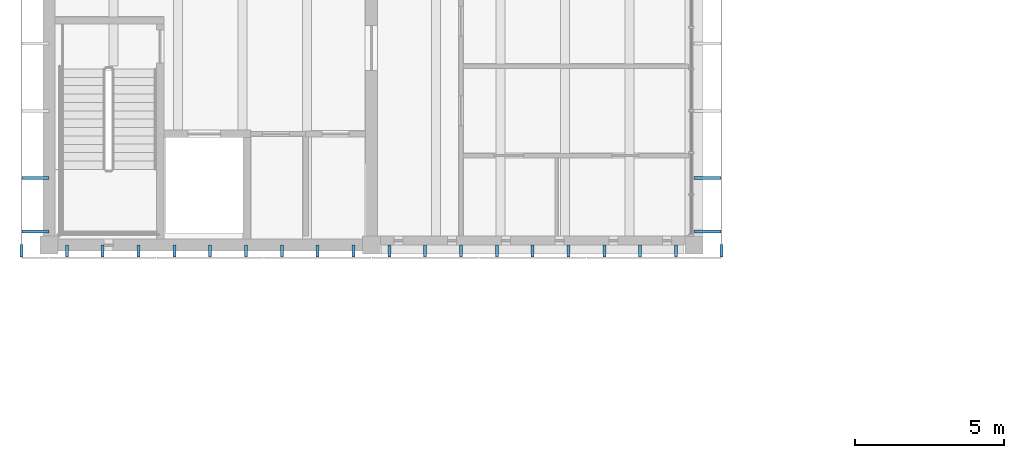
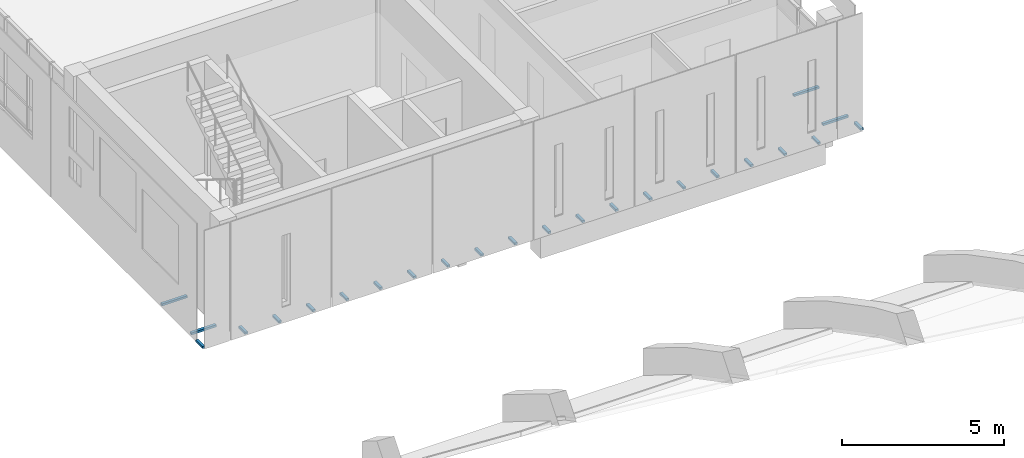
# One storey, part 62 of 88: 24 discrete accessories.
"""IFC4 building model written with IfcOpenShell, lengths in metres."""

from ifc_helpers import new_model, si_unit, direction, frame, origin, place, context, subcontext, project, spatial, polyline, outline, extrude, source, transform, mapped, material, type_object, element, save


model = new_model("IFC4")

# Units and contexts
model_context = context("Model", 3, precision=1e-05, world=origin(), true_north=direction((0.0, 1.0)))
body_context = subcontext(model_context, "Body", "Model", "MODEL_VIEW")
ifc_project = project(units=[si_unit("LENGTHUNIT", "METRE"), si_unit("AREAUNIT", "SQUARE_METRE"), si_unit("VOLUMEUNIT", "CUBIC_METRE"), si_unit("PLANEANGLEUNIT", "RADIAN"), si_unit("MASSUNIT", "GRAM", prefix="KILO")], contexts=[model_context])

# Site, building, storey
site_placement = place(None, origin())
site = spatial("IfcSite", under=ifc_project, at=site_placement, CompositionType="ELEMENT")
building_placement = place(site_placement, origin())
building = spatial("IfcBuilding", under=site, at=building_placement, Name="Merrow Basin Faculty of Sciences", CompositionType="ELEMENT")
storey_placement = place(building_placement, frame((0.0, 0.0, 9.0)))
storey = spatial("IfcBuildingStorey", under=building, at=storey_placement, Name="L02", CompositionType="ELEMENT", Elevation=9.0)

# Discrete accessories
ifc_material_1 = material(Name="Steel ASTM A572 Gr 50", Category="steel")
discrete_accessory_type_1 = type_object("IfcDiscreteAccessoryType", Name="Steel T bracket 100 x 80", PredefinedType="BRACKET", material=ifc_material_1)
shared_shape_1 = source(origin(), body_context, "Body", "SweptSolid", [
    extrude(outline(polyline([(0.0, 0.0), (0.10009765625, 0.0), (0.10009765625, 0.080078125), (0.0, 0.080078125), (0.0, 0.0)])), origin(), (0.0, 0.0, 1.0), 0.89990234375),
])
for number, where, z_axis, x_axis, name in (
    (1, (-0.89990234375, 61.39990234375, -0.2900390625), (1.0, 0.0, 0.0), (0.0, 1.0, 0.0), "Bracket WL02-01"),
    (2, (-0.89990234375, 63.199951171875, -0.2900390625), (1.0, 0.0, 0.0), (0.0, 1.0, 0.0), "Bracket WL02-01"),
    (3, (22.5, 63.300048828125, -0.2900390625), (-1.0, 0.0, 0.0), (0.0, -1.0, 0.0), "Bracket EL02-01"),
    (4, (22.5, 61.5, -0.2900390625), (-1.0, 0.0, 0.0), (0.0, -1.0, 0.0), "Bracket EL02-01"),
):
    element("IfcDiscreteAccessory", number, at=place(storey_placement, frame(where, z_axis=z_axis, x_axis=x_axis)), inside=storey, type_object=discrete_accessory_type_1, Name=name, PredefinedType="BRACKET", context=body_context, shape_type="MappedRepresentation", body=[
        mapped(shared_shape_1, transform((0.0, 0.0, 0.0), scale=1.0)),
    ])
ifc_material_2 = material(Name="Steel ASTM A572 Gr 50", Category="steel")
discrete_accessory_type_2 = type_object("IfcDiscreteAccessoryType", Name="Steel T bracket 100 x 80 corner", PredefinedType="BRACKET", material=ifc_material_2)
shared_shape_2 = source(origin(), body_context, "Body", "SweptSolid", [
    extrude(outline(polyline([(0.0, 0.0), (0.10009765625, 0.0), (0.10009765625, 0.080078125), (0.0, 0.080078125), (0.0, 0.0)])), origin(), (0.0, 0.0, 1.0), 0.419921875),
])
for number, where, z_axis, x_axis, name in (
    (5, (-0.8701171875, 60.60009765625, -0.2900390625), (0.0, 1.0, 0.0), (-1.0, 0.0, 0.0), "End corner bracket SL02-01"),
    (6, (22.570068359375, 60.60009765625, -0.2900390625), (0.0, 1.0, 0.0), (-1.0, 0.0, 0.0), "End corner bracket SL02-08"),
):
    element("IfcDiscreteAccessory", number, at=place(storey_placement, frame(where, z_axis=z_axis, x_axis=x_axis)), inside=storey, type_object=discrete_accessory_type_2, Name=name, PredefinedType="BRACKET", context=body_context, shape_type="MappedRepresentation", body=[
        mapped(shared_shape_2, transform((0.0, 0.0, 0.0), scale=1.0)),
    ])
ifc_material_3 = material(Name="Steel ASTM A572 Gr 50", Category="steel")
discrete_accessory_type_3 = type_object("IfcDiscreteAccessoryType", Name="Steel T bracket 100 x 80 short", PredefinedType="BRACKET", material=ifc_material_3)
shared_shape_3 = source(origin(), body_context, "Body", "SweptSolid", [
    extrude(outline(polyline([(0.0, 0.0), (0.10009765625, 0.0), (0.10009765625, 0.080078125), (0.0, 0.080078125), (0.0, 0.0)])), origin(), (0.0, 0.0, 1.0), 0.39990234375),
])
for number, where, z_axis, x_axis, name in (
    (7, (0.64990234375, 60.60009765625, -0.2900390625), (0.0, 1.0, 0.0), (-1.0, 0.0, 0.0), "End bracket SL02-02-1"),
    (8, (1.85009765625, 60.60009765625, -0.2900390625), (0.0, 1.0, 0.0), (-1.0, 0.0, 0.0), "End bracket SL02-02-2"),
    (9, (3.050048828125, 60.60009765625, -0.2900390625), (0.0, 1.0, 0.0), (-1.0, 0.0, 0.0), "End bracket SL02-02-3"),
    (10, (4.25, 60.60009765625, -0.2900390625), (0.0, 1.0, 0.0), (-1.0, 0.0, 0.0), "End bracket SL02-03-1"),
    (11, (5.449951171875, 60.60009765625, -0.2900390625), (0.0, 1.0, 0.0), (-1.0, 0.0, 0.0), "End bracket SL02-03-2"),
    (12, (6.64990234375, 60.60009765625, -0.2900390625), (0.0, 1.0, 0.0), (-1.0, 0.0, 0.0), "End bracket SL02-03-3"),
    (13, (7.85009765625, 60.60009765625, -0.2900390625), (0.0, 1.0, 0.0), (-1.0, 0.0, 0.0), "End bracket SL02-04-1"),
    (14, (9.050048828125, 60.60009765625, -0.2900390625), (0.0, 1.0, 0.0), (-1.0, 0.0, 0.0), "End bracket SL02-04-2"),
    (15, (10.25, 60.60009765625, -0.2900390625), (0.0, 1.0, 0.0), (-1.0, 0.0, 0.0), "End bracket SL02-04-3"),
    (16, (11.449951171875, 60.60009765625, -0.2900390625), (0.0, 1.0, 0.0), (-1.0, 0.0, 0.0), "End bracket SL02-05-1"),
    (17, (12.64990234375, 60.60009765625, -0.2900390625), (0.0, 1.0, 0.0), (-1.0, 0.0, 0.0), "End bracket SL02-05-2"),
    (18, (13.85009765625, 60.60009765625, -0.2900390625), (0.0, 1.0, 0.0), (-1.0, 0.0, 0.0), "End bracket SL02-05-3"),
    (19, (15.050048828125, 60.60009765625, -0.2900390625), (0.0, 1.0, 0.0), (-1.0, 0.0, 0.0), "End bracket SL02-06-1"),
    (20, (16.25, 60.60009765625, -0.2900390625), (0.0, 1.0, 0.0), (-1.0, 0.0, 0.0), "End bracket SL02-06-2"),
    (21, (17.449951171875, 60.60009765625, -0.2900390625), (0.0, 1.0, 0.0), (-1.0, 0.0, 0.0), "End bracket SL02-06-3"),
    (22, (18.64990234375, 60.60009765625, -0.2900390625), (0.0, 1.0, 0.0), (-1.0, 0.0, 0.0), "End bracket SL02-07-1"),
    (23, (19.85009765625, 60.60009765625, -0.2900390625), (0.0, 1.0, 0.0), (-1.0, 0.0, 0.0), "End bracket SL02-07-2"),
    (24, (21.050048828125, 60.60009765625, -0.2900390625), (0.0, 1.0, 0.0), (-1.0, 0.0, 0.0), "End bracket SL02-07-3"),
):
    element("IfcDiscreteAccessory", number, at=place(storey_placement, frame(where, z_axis=z_axis, x_axis=x_axis)), inside=storey, type_object=discrete_accessory_type_3, Name=name, PredefinedType="BRACKET", context=body_context, shape_type="MappedRepresentation", body=[
        mapped(shared_shape_3, transform((0.0, 0.0, 0.0), scale=1.0)),
    ])

save(model, "model.ifc")
